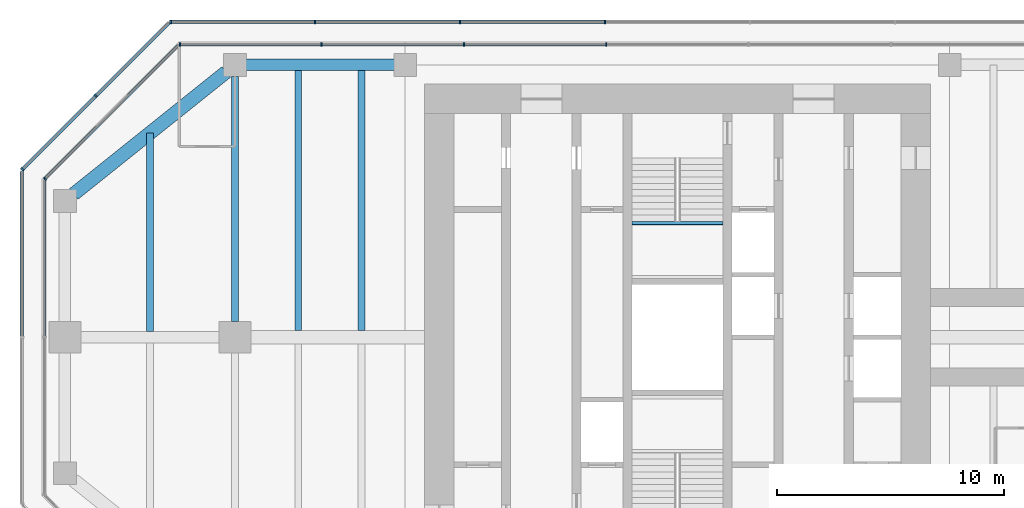
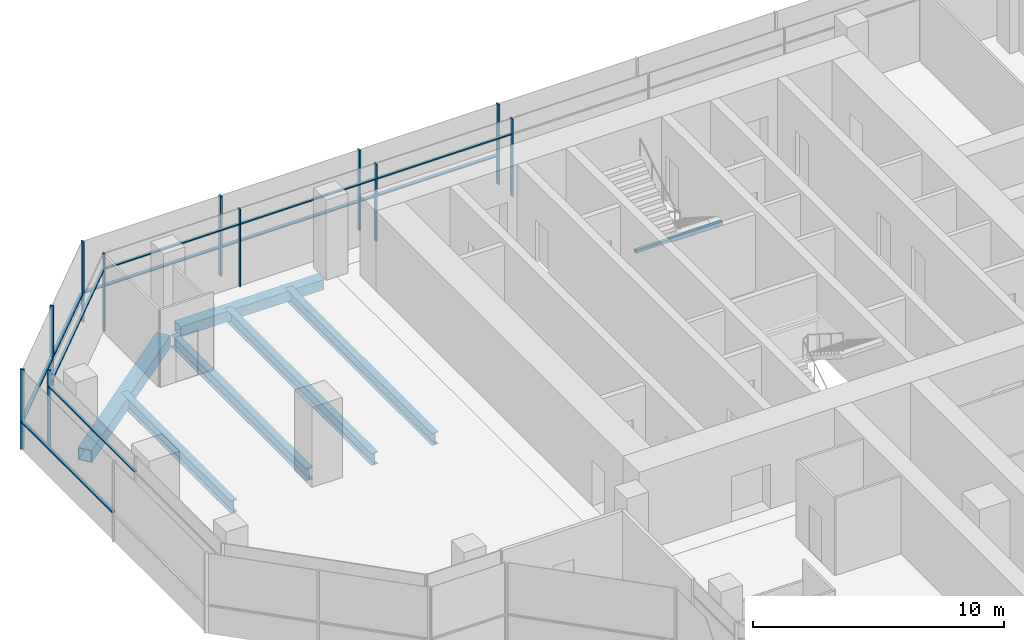
# One storey, part 6 of 15: 22 members, 7 beams, 6 elements without a shape of their own.
"""IFC4 building model written with IfcOpenShell, lengths in metres."""

from ifc_helpers import new_model, si_unit, direction, frame, origin, origin_2d, place, context, subcontext, project, spatial, rectangle, hollow_rectangle, i_section, extrude, material, material_profile, profile_set, type_object, element, aggregate, save


model = new_model("IFC4")

# Units and contexts
model_context = context("Model", 3, precision=1e-05, world=origin(), true_north=direction((0.0, 1.0)))
body_context = subcontext(model_context, "Body", "Model", "MODEL_VIEW")
ifc_project = project(units=[si_unit("LENGTHUNIT", "METRE"), si_unit("AREAUNIT", "SQUARE_METRE"), si_unit("VOLUMEUNIT", "CUBIC_METRE"), si_unit("PLANEANGLEUNIT", "RADIAN"), si_unit("MASSUNIT", "GRAM", prefix="KILO")], contexts=[model_context])

# Site, building, storey
site_placement = place(None, origin())
site = spatial("IfcSite", under=ifc_project, at=site_placement, CompositionType="ELEMENT")
building_placement = place(site_placement, origin())
building = spatial("IfcBuilding", under=site, at=building_placement, Name="Mizan Broadcast Tower", CompositionType="ELEMENT")
storey_placement = place(building_placement, frame((0.0, 0.0, 275.10009765625)))
storey = spatial("IfcBuildingStorey", under=building, at=storey_placement, Name="L65", CompositionType="ELEMENT", Elevation=275.10009765625)

# Beams
ifc_material_1 = material(Name="Steel S355", Category="steel")
ifc_material_profile_1 = material_profile(ifc_material_1, hollow_rectangle(XDim=0.5, YDim=0.5, WallThickness=0.030029296875, at=origin_2d()), Name="BOX 500x500x30")
ifc_profile_set_1 = profile_set([ifc_material_profile_1], Name="Steel S355")
beam_type_1 = type_object("IfcBeamType", Name="EDGE BEAM BOX 500x500x30", PredefinedType="SPANDREL", material=ifc_profile_set_1)
beam_1_placement = place(storey_placement, frame((-12.449951171875, 12.0, -0.380126953125), z_axis=(-1.0, 0.0, 0.0), x_axis=(0.0, -1.0, 0.0)))
element("IfcBeam", 1, at=beam_1_placement, inside=storey, type_object=beam_type_1, Name="Edge beam BOX 500x500x30 L65 west arm", PredefinedType="SPANDREL", context=body_context, shape_type="SweptSolid", body=[
    extrude(hollow_rectangle(XDim=0.5, YDim=0.5, WallThickness=0.030029296875, at=origin_2d()), origin(), (0.0, 0.0, 1.0), 6.60009765625),
])
ifc_material_2 = material(Name="Steel S355", Category="steel")
ifc_material_profile_2 = material_profile(ifc_material_2, hollow_rectangle(XDim=0.60009765625, YDim=0.60009765625, WallThickness=0.030029296875, at=origin_2d()), Name="BOX 600x600x30")
ifc_profile_set_2 = profile_set([ifc_material_profile_2], Name="Steel S355")
beam_type_2 = type_object("IfcBeamType", Name="EDGE BEAM BOX 600x600x30", PredefinedType="SPANDREL", material=ifc_profile_set_2)
beam_2_placement = place(storey_placement, frame((-19.890380859375, 11.687744140625, -0.43017578125), z_axis=(-0.780863273348, -0.62470196761, 0.0), x_axis=(0.62470196761, -0.780863273348, 0.0)))
element("IfcBeam", 2, at=beam_2_placement, inside=storey, type_object=beam_type_2, Name="Edge beam BOX 600x600x30 L65 west arm", PredefinedType="SPANDREL", context=body_context, shape_type="SweptSolid", body=[
    extrude(hollow_rectangle(XDim=0.60009765625, YDim=0.60009765625, WallThickness=0.030029296875, at=origin_2d()), origin(), (0.0, 0.0, 1.0), 8.60498046875),
])
ifc_material_3 = material(Name="Steel S355", Category="steel")
ifc_material_profile_3 = material_profile(ifc_material_3, i_section(OverallWidth=0.300048828125, OverallDepth=0.590087890625, WebThickness=0.012939453125, FlangeThickness=0.02490234375, FilletRadius=0.027099609375, at=origin_2d()), Name="HEA 600")
ifc_profile_set_3 = profile_set([ifc_material_profile_3], Name="Steel S355")
beam_type_3 = type_object("IfcBeamType", Name="GIRDER HEA 600", PredefinedType="BEAM", material=ifc_profile_set_3)
beam_3_placement = place(storey_placement, frame((-19.5, 11.5, -0.425048828125), z_axis=(0.0, -1.0, 0.0), x_axis=(1.0, 0.0, 0.0)))
element("IfcBeam", 3, at=beam_3_placement, inside=storey, type_object=beam_type_3, Name="Girder HEA 600 L65 west arm", PredefinedType="BEAM", context=body_context, shape_type="SweptSolid", body=[
    extrude(i_section(OverallWidth=0.300048828125, OverallDepth=0.590087890625, WebThickness=0.012939453125, FlangeThickness=0.02490234375, FilletRadius=0.027099609375, at=origin_2d()), origin(), (0.0, 0.0, 1.0), 10.800048828125),
])

# Curtain wall, members
ifc_material_4 = material(Name="Aluminium framed glazing", Category="aluminium")
curtain_wall_type_1 = type_object("IfcCurtainWallType", Name="INNER SKIN TOP ZONE", PredefinedType="USERDEFINED", material=ifc_material_4)
curtain_wall_1_placement = place(storey_placement, origin())
curtain_wall_1 = element("IfcCurtainWall", 4, at=curtain_wall_1_placement, inside=storey, type_object=curtain_wall_type_1, Name="Inner skin top zone L65 N end", ObjectType="INNER SKIN TOP ZONE", PredefinedType="USERDEFINED")
ifc_material_5 = material(Name="Aluminium, pale anodised", Category="aluminium")
ifc_material_profile_4 = material_profile(ifc_material_5, rectangle(XDim=0.159912109375, YDim=0.06005859375, at=origin_2d()), Name="MULLION 160x60")
ifc_profile_set_4 = profile_set([ifc_material_profile_4], Name="Aluminium, pale anodised")
member_type_1 = type_object("IfcMemberType", Name="INNER SKIN MULLION 60x160", PredefinedType="MULLION", material=ifc_profile_set_4)
member_1_placement = place(storey_placement, frame((-3.136962890625, 12.89990234375, 0.0), z_axis=(0.0, 0.0, 1.0), x_axis=(0.0, -1.0, 0.0)))
member_1 = element("IfcMember", 5, at=member_1_placement, type_object=member_type_1, Name="Inner skin top zone L65 N end mullion 5", PredefinedType="MULLION", context=body_context, shape_type="SweptSolid", body=[
    extrude(rectangle(XDim=0.159912109375, YDim=0.06005859375, at=origin_2d()), origin(), (0.0, 0.0, 1.0), 3.77001953125),
])
member_2_placement = place(storey_placement, frame((-9.410888671875, 12.89990234375, 0.0), z_axis=(0.0, 0.0, 1.0), x_axis=(0.0, -1.0, 0.0)))
member_2 = element("IfcMember", 6, at=member_2_placement, type_object=member_type_1, Name="Inner skin top zone L65 N end mullion 6", PredefinedType="MULLION", context=body_context, shape_type="SweptSolid", body=[
    extrude(rectangle(XDim=0.159912109375, YDim=0.06005859375, at=origin_2d()), origin(), (0.0, 0.0, 1.0), 3.77001953125),
])
member_3_placement = place(storey_placement, frame((-15.684814453125, 12.89990234375, 0.0), z_axis=(0.0, 0.0, 1.0), x_axis=(0.0, -1.0, 0.0)))
member_3 = element("IfcMember", 7, at=member_3_placement, type_object=member_type_1, Name="Inner skin top zone L65 N end mullion 7", PredefinedType="MULLION", context=body_context, shape_type="SweptSolid", body=[
    extrude(rectangle(XDim=0.159912109375, YDim=0.06005859375, at=origin_2d()), origin(), (0.0, 0.0, 1.0), 3.77001953125),
])
member_4_placement = place(storey_placement, frame((-21.928466796875, 12.89990234375, 0.0), z_axis=(0.0, 0.0, 1.0), x_axis=(0.0, -1.0, 0.0)))
member_4 = element("IfcMember", 8, at=member_4_placement, type_object=member_type_1, Name="Inner skin top zone L65 N end mullion 8", PredefinedType="MULLION", context=body_context, shape_type="SweptSolid", body=[
    extrude(rectangle(XDim=0.159912109375, YDim=0.06005859375, at=origin_2d()), origin(), (0.0, 0.0, 1.0), 3.77001953125),
])

# Curtain wall, member
curtain_wall_2_placement = place(storey_placement, origin())
curtain_wall_2 = element("IfcCurtainWall", 9, at=curtain_wall_2_placement, inside=storey, type_object=curtain_wall_type_1, Name="Inner skin top zone L65 W chamfer", ObjectType="INNER SKIN TOP ZONE", PredefinedType="USERDEFINED")
member_5_placement = place(storey_placement, frame((-27.87890625, 6.979736328125, 0.0), z_axis=(0.0, 0.0, 1.0), x_axis=(0.707106781187, -0.707106781187, 0.0)))
member_5 = element("IfcMember", 10, at=member_5_placement, type_object=member_type_1, Name="Inner skin top zone L65 W chamfer mullion 2", PredefinedType="MULLION", context=body_context, shape_type="SweptSolid", body=[
    extrude(rectangle(XDim=0.159912109375, YDim=0.06005859375, at=origin_2d()), origin(), (0.0, 0.0, 1.0), 3.77001953125),
])

# Member
ifc_material_6 = material(Name="Aluminium, pale anodised", Category="aluminium")
ifc_material_profile_5 = material_profile(ifc_material_6, rectangle(XDim=0.1201171875, YDim=0.06005859375, at=origin_2d()), Name="TRANSOM 120x60")
ifc_profile_set_5 = profile_set([ifc_material_profile_5], Name="Aluminium, pale anodised")
member_type_2 = type_object("IfcMemberType", Name="INNER SKIN TRANSOM 60x120", PredefinedType="USERDEFINED", material=ifc_profile_set_5)
member_6_placement = place(storey_placement, frame((-3.1669921875, 12.89990234375, 3.02978515625), z_axis=(-1.0, 0.0, 0.0), x_axis=(0.0, -1.0, 0.0)))
member_6 = element("IfcMember", 11, at=member_6_placement, type_object=member_type_2, Name="Inner skin top zone L65 N end transom 5.1", ObjectType="TRANSOM", PredefinedType="USERDEFINED", context=body_context, shape_type="SweptSolid", body=[
    extrude(rectangle(XDim=0.1201171875, YDim=0.06005859375, at=origin_2d()), origin(), (0.0, 0.0, 1.0), 6.2138671875),
])

member_7_placement = place(storey_placement, frame((-9.44091796875, 12.89990234375, 3.02978515625), z_axis=(-1.0, 0.0, 0.0), x_axis=(0.0, -1.0, 0.0)))
member_7 = element("IfcMember", 12, at=member_7_placement, type_object=member_type_2, Name="Inner skin top zone L65 N end transom 6.1", ObjectType="TRANSOM", PredefinedType="USERDEFINED", context=body_context, shape_type="SweptSolid", body=[
    extrude(rectangle(XDim=0.1201171875, YDim=0.06005859375, at=origin_2d()), origin(), (0.0, 0.0, 1.0), 6.2138671875),
])

member_8_placement = place(storey_placement, frame((-15.714599609375, 12.89990234375, 3.02978515625), z_axis=(-1.0, 0.0, 0.0), x_axis=(0.0, -1.0, 0.0)))
member_8 = element("IfcMember", 13, at=member_8_placement, type_object=member_type_2, Name="Inner skin top zone L65 N end transom 7.1", ObjectType="TRANSOM", PredefinedType="USERDEFINED", context=body_context, shape_type="SweptSolid", body=[
    extrude(rectangle(XDim=0.1201171875, YDim=0.06005859375, at=origin_2d()), origin(), (0.0, 0.0, 1.0), 6.18408203125),
])

aggregate(curtain_wall_1, [member_1, member_2, member_3, member_4, member_6, member_7, member_8])

member_9_placement = place(storey_placement, frame((-22.0009765625, 12.857666015625, 3.02978515625), z_axis=(-0.707106781187, -0.707106781187, 0.0), x_axis=(0.707106781187, -0.707106781187, 0.0)))
member_9 = element("IfcMember", 14, at=member_9_placement, type_object=member_type_2, Name="Inner skin top zone L65 W chamfer transom 1.1", ObjectType="TRANSOM", PredefinedType="USERDEFINED", context=body_context, shape_type="SweptSolid", body=[
    extrude(rectangle(XDim=0.1201171875, YDim=0.06005859375, at=origin_2d()), origin(), (0.0, 0.0, 1.0), 8.28271484375),
])

aggregate(curtain_wall_2, [member_5, member_9])

# Curtain wall, member
curtain_wall_3_placement = place(storey_placement, origin())
curtain_wall_3 = element("IfcCurtainWall", 15, at=curtain_wall_3_placement, inside=storey, type_object=curtain_wall_type_1, Name="Inner skin top zone L65 W end", ObjectType="INNER SKIN TOP ZONE", PredefinedType="USERDEFINED")
member_10_placement = place(storey_placement, frame((-27.89990234375, 6.898681640625, 3.02978515625), z_axis=(0.0, -1.0, 0.0), x_axis=(1.0, 0.0, 0.0)))
member_10 = element("IfcMember", 16, at=member_10_placement, type_object=member_type_2, Name="Inner skin top zone L65 W end transom 1.1", ObjectType="TRANSOM", PredefinedType="USERDEFINED", context=body_context, shape_type="SweptSolid", body=[
    extrude(rectangle(XDim=0.1201171875, YDim=0.06005859375, at=origin_2d()), origin(), (0.0, 0.0, 1.0), 6.86865234375),
])
aggregate(curtain_wall_3, [member_10])

# Beam
ifc_material_7 = material(Name="Steel S355", Category="steel")
ifc_material_profile_6 = material_profile(ifc_material_7, hollow_rectangle(XDim=0.14990234375, YDim=0.14990234375, WallThickness=0.008056640625, InnerFilletRadius=0.008056640625, OuterFilletRadius=0.011962890625, at=origin_2d()), Name="SHS 150x150x8")
ifc_profile_set_6 = profile_set([ifc_material_profile_6], Name="Steel S355")
beam_type_4 = type_object("IfcBeamType", Name="LANDING TRIMMER SHS 150x150x8", PredefinedType="BEAM", material=ifc_profile_set_6)
beam_4_placement = place(storey_placement, frame((2.0, 5.02490234375, 1.6748046875), z_axis=(-1.0, 0.0, 0.0), x_axis=(0.0, -1.0, 0.0)))
element("IfcBeam", 17, at=beam_4_placement, inside=storey, type_object=beam_type_4, Name="Stair B landing trimmer L65", PredefinedType="BEAM", context=body_context, shape_type="SweptSolid", body=[
    extrude(hollow_rectangle(XDim=0.14990234375, YDim=0.14990234375, WallThickness=0.008056640625, InnerFilletRadius=0.008056640625, OuterFilletRadius=0.011962890625, at=origin_2d()), origin(), (0.0, 0.0, 1.0), 4.0),
])

# Curtain wall, members
ifc_material_8 = material(Name="Aluminium framed glazing", Category="aluminium")
curtain_wall_type_2 = type_object("IfcCurtainWallType", Name="OUTER SKIN", PredefinedType="USERDEFINED", material=ifc_material_8)
curtain_wall_4_placement = place(storey_placement, origin())
curtain_wall_4 = element("IfcCurtainWall", 18, at=curtain_wall_4_placement, inside=storey, type_object=curtain_wall_type_2, Name="Outer skin L65 N end", ObjectType="OUTER SKIN", PredefinedType="USERDEFINED")
ifc_material_9 = material(Name="Aluminium, pale anodised", Category="aluminium")
ifc_material_profile_7 = material_profile(ifc_material_9, rectangle(XDim=0.159912109375, YDim=0.080078125, at=origin_2d()), Name="MULLION 160x80")
ifc_profile_set_7 = profile_set([ifc_material_profile_7], Name="Aluminium, pale anodised")
member_type_3 = type_object("IfcMemberType", Name="OUTER SKIN MULLION 80x160", PredefinedType="MULLION", material=ifc_profile_set_7)
member_11_placement = place(storey_placement, frame((-3.196044921875, 13.89990234375, 0.0), z_axis=(0.0, 0.0, 1.0), x_axis=(0.0, -1.0, 0.0)))
member_11 = element("IfcMember", 19, at=member_11_placement, type_object=member_type_3, Name="Outer skin L65 N end mullion 5", PredefinedType="MULLION", context=body_context, shape_type="SweptSolid", body=[
    extrude(rectangle(XDim=0.159912109375, YDim=0.080078125, at=origin_2d()), origin(), (0.0, 0.0, 1.0), 3.89990234375),
])
member_12_placement = place(storey_placement, frame((-9.58837890625, 13.89990234375, 0.0), z_axis=(0.0, 0.0, 1.0), x_axis=(0.0, -1.0, 0.0)))
member_12 = element("IfcMember", 20, at=member_12_placement, type_object=member_type_3, Name="Outer skin L65 N end mullion 6", PredefinedType="MULLION", context=body_context, shape_type="SweptSolid", body=[
    extrude(rectangle(XDim=0.159912109375, YDim=0.080078125, at=origin_2d()), origin(), (0.0, 0.0, 1.0), 3.89990234375),
])
member_13_placement = place(storey_placement, frame((-15.98046875, 13.89990234375, 0.0), z_axis=(0.0, 0.0, 1.0), x_axis=(0.0, -1.0, 0.0)))
member_13 = element("IfcMember", 21, at=member_13_placement, type_object=member_type_3, Name="Outer skin L65 N end mullion 7", PredefinedType="MULLION", context=body_context, shape_type="SweptSolid", body=[
    extrude(rectangle(XDim=0.159912109375, YDim=0.080078125, at=origin_2d()), origin(), (0.0, 0.0, 1.0), 3.89990234375),
])
member_14_placement = place(storey_placement, frame((-22.332763671875, 13.89990234375, 0.0), z_axis=(0.0, 0.0, 1.0), x_axis=(0.0, -1.0, 0.0)))
member_14 = element("IfcMember", 22, at=member_14_placement, type_object=member_type_3, Name="Outer skin L65 N end mullion 8", PredefinedType="MULLION", context=body_context, shape_type="SweptSolid", body=[
    extrude(rectangle(XDim=0.159912109375, YDim=0.080078125, at=origin_2d()), origin(), (0.0, 0.0, 1.0), 3.89990234375),
])

curtain_wall_5_placement = place(storey_placement, origin())
curtain_wall_5 = element("IfcCurtainWall", 23, at=curtain_wall_5_placement, inside=storey, type_object=curtain_wall_type_2, Name="Outer skin L65 W chamfer", ObjectType="OUTER SKIN", PredefinedType="USERDEFINED")
member_15_placement = place(storey_placement, frame((-25.636474609375, 10.636474609375, 0.0), z_axis=(0.0, 0.0, 1.0), x_axis=(0.707106781187, -0.707106781187, 0.0)))
member_15 = element("IfcMember", 24, at=member_15_placement, type_object=member_type_3, Name="Outer skin L65 W chamfer mullion 2", PredefinedType="MULLION", context=body_context, shape_type="SweptSolid", body=[
    extrude(rectangle(XDim=0.159912109375, YDim=0.080078125, at=origin_2d()), origin(), (0.0, 0.0, 1.0), 3.89990234375),
])
member_16_placement = place(storey_placement, frame((-28.871826171875, 7.401123046875, 0.0), z_axis=(0.0, 0.0, 1.0), x_axis=(0.707106781187, -0.707106781187, 0.0)))
member_16 = element("IfcMember", 25, at=member_16_placement, type_object=member_type_3, Name="Outer skin L65 W chamfer mullion 3", PredefinedType="MULLION", context=body_context, shape_type="SweptSolid", body=[
    extrude(rectangle(XDim=0.159912109375, YDim=0.080078125, at=origin_2d()), origin(), (0.0, 0.0, 1.0), 3.89990234375),
])

# Member
ifc_material_10 = material(Name="Aluminium, pale anodised", Category="aluminium")
ifc_material_profile_8 = material_profile(ifc_material_10, rectangle(XDim=0.159912109375, YDim=0.06005859375, at=origin_2d()), Name="TRANSOM 160x60")
ifc_profile_set_8 = profile_set([ifc_material_profile_8], Name="Aluminium, pale anodised")
member_type_4 = type_object("IfcMemberType", Name="OUTER SKIN TRANSOM 60x160", PredefinedType="USERDEFINED", material=ifc_profile_set_8)
member_17_placement = place(storey_placement, frame((-3.236083984375, 13.89990234375, 1.39990234375), z_axis=(-1.0, 0.0, 0.0), x_axis=(0.0, -1.0, 0.0)))
member_17 = element("IfcMember", 26, at=member_17_placement, type_object=member_type_4, Name="Outer skin L65 N end transom 5.1", ObjectType="TRANSOM", PredefinedType="USERDEFINED", context=body_context, shape_type="SweptSolid", body=[
    extrude(rectangle(XDim=0.159912109375, YDim=0.06005859375, at=origin_2d()), origin(), (0.0, 0.0, 1.0), 6.312255859375),
])

member_18_placement = place(storey_placement, frame((-9.62841796875, 13.89990234375, 1.39990234375), z_axis=(-1.0, 0.0, 0.0), x_axis=(0.0, -1.0, 0.0)))
member_18 = element("IfcMember", 27, at=member_18_placement, type_object=member_type_4, Name="Outer skin L65 N end transom 6.1", ObjectType="TRANSOM", PredefinedType="USERDEFINED", context=body_context, shape_type="SweptSolid", body=[
    extrude(rectangle(XDim=0.159912109375, YDim=0.06005859375, at=origin_2d()), origin(), (0.0, 0.0, 1.0), 6.312255859375),
])

member_19_placement = place(storey_placement, frame((-16.0205078125, 13.89990234375, 1.39990234375), z_axis=(-1.0, 0.0, 0.0), x_axis=(0.0, -1.0, 0.0)))
member_19 = element("IfcMember", 28, at=member_19_placement, type_object=member_type_4, Name="Outer skin L65 N end transom 7.1", ObjectType="TRANSOM", PredefinedType="USERDEFINED", context=body_context, shape_type="SweptSolid", body=[
    extrude(rectangle(XDim=0.159912109375, YDim=0.06005859375, at=origin_2d()), origin(), (0.0, 0.0, 1.0), 6.272216796875),
])

aggregate(curtain_wall_4, [member_11, member_12, member_13, member_14, member_17, member_18, member_19])

member_20_placement = place(storey_placement, frame((-22.429443359375, 13.843505859375, 1.39990234375), z_axis=(-0.707106781187, -0.707106781187, 0.0), x_axis=(0.707106781187, -0.707106781187, 0.0)))
member_20 = element("IfcMember", 29, at=member_20_placement, type_object=member_type_4, Name="Outer skin L65 W chamfer transom 1.1", ObjectType="TRANSOM", PredefinedType="USERDEFINED", context=body_context, shape_type="SweptSolid", body=[
    extrude(rectangle(XDim=0.159912109375, YDim=0.06005859375, at=origin_2d()), origin(), (0.0, 0.0, 1.0), 4.495361328125),
])

member_21_placement = place(storey_placement, frame((-25.664794921875, 10.608154296875, 1.39990234375), z_axis=(-0.707106781187, -0.707106781187, 0.0), x_axis=(0.707106781187, -0.707106781187, 0.0)))
member_21 = element("IfcMember", 30, at=member_21_placement, type_object=member_type_4, Name="Outer skin L65 W chamfer transom 2.1", ObjectType="TRANSOM", PredefinedType="USERDEFINED", context=body_context, shape_type="SweptSolid", body=[
    extrude(rectangle(XDim=0.159912109375, YDim=0.06005859375, at=origin_2d()), origin(), (0.0, 0.0, 1.0), 4.495361328125),
])

aggregate(curtain_wall_5, [member_15, member_16, member_20, member_21])

# Curtain wall, member
curtain_wall_6_placement = place(storey_placement, origin())
curtain_wall_6 = element("IfcCurtainWall", 31, at=curtain_wall_6_placement, inside=storey, type_object=curtain_wall_type_2, Name="Outer skin L65 W end", ObjectType="OUTER SKIN", PredefinedType="USERDEFINED")
member_22_placement = place(storey_placement, frame((-28.89990234375, 7.292724609375, 1.39990234375), z_axis=(0.0, -1.0, 0.0), x_axis=(1.0, 0.0, 0.0)))
member_22 = element("IfcMember", 32, at=member_22_placement, type_object=member_type_4, Name="Outer skin L65 W end transom 1.1", ObjectType="TRANSOM", PredefinedType="USERDEFINED", context=body_context, shape_type="SweptSolid", body=[
    extrude(rectangle(XDim=0.159912109375, YDim=0.06005859375, at=origin_2d()), origin(), (0.0, 0.0, 1.0), 7.252685546875),
])
aggregate(curtain_wall_6, [member_22])

# Beams
ifc_material_11 = material(Name="Steel S355", Category="steel")
ifc_material_profile_9 = material_profile(ifc_material_11, i_section(OverallWidth=0.300048828125, OverallDepth=0.590087890625, WebThickness=0.012939453125, FlangeThickness=0.02490234375, FilletRadius=0.027099609375, at=origin_2d()), Name="HEA 600")
ifc_profile_set_9 = profile_set([ifc_material_profile_9], Name="Steel S355")
beam_type_5 = type_object("IfcBeamType", Name="SECONDARY BEAM HEA 600", PredefinedType="JOIST", material=ifc_profile_set_9)
for number, where, z_axis, x_axis, name in (
    (33, (-13.933349609375, 12.0, -0.425048828125), (0.0, -1.0, 0.0), (1.0, 0.0, 0.0), "Secondary beam HEA 600 L65 west arm"),
    (34, (-16.716552734375, 12.0, -0.425048828125), (0.0, -1.0, 0.0), (1.0, 0.0, 0.0), "Secondary beam HEA 600 L65 west arm"),
):
    element("IfcBeam", number, at=place(storey_placement, frame(where, z_axis=z_axis, x_axis=x_axis)), inside=storey, type_object=beam_type_5, Name=name, PredefinedType="JOIST", context=body_context, shape_type="SweptSolid", body=[
        extrude(i_section(OverallWidth=0.300048828125, OverallDepth=0.590087890625, WebThickness=0.012939453125, FlangeThickness=0.02490234375, FilletRadius=0.027099609375, at=origin_2d()), origin(), (0.0, 0.0, 1.0), 11.699951171875),
    ])
beam_5_placement = place(storey_placement, frame((-23.25, 9.0, -0.425048828125), z_axis=(0.0, -1.0, 0.0), x_axis=(1.0, 0.0, 0.0)))
element("IfcBeam", 35, at=beam_5_placement, inside=storey, type_object=beam_type_5, Name="Secondary beam HEA 600 L65 west arm", PredefinedType="JOIST", context=body_context, shape_type="SweptSolid", body=[
    extrude(i_section(OverallWidth=0.300048828125, OverallDepth=0.590087890625, WebThickness=0.012939453125, FlangeThickness=0.02490234375, FilletRadius=0.027099609375, at=origin_2d()), origin(), (0.0, 0.0, 1.0), 8.75),
])

save(model, "model.ifc")
